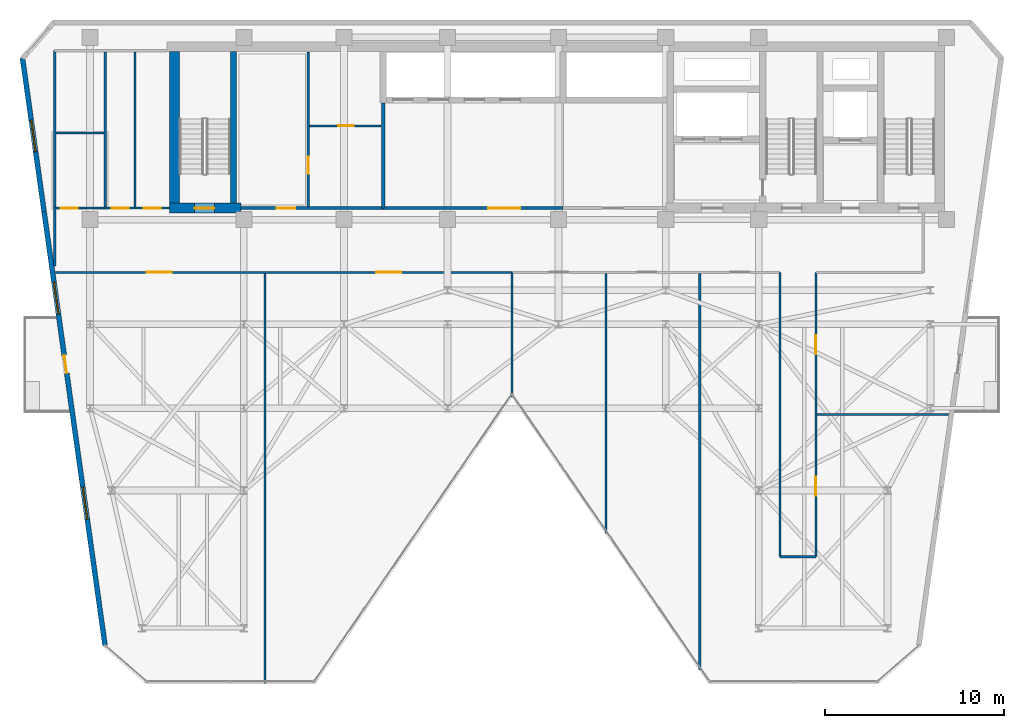
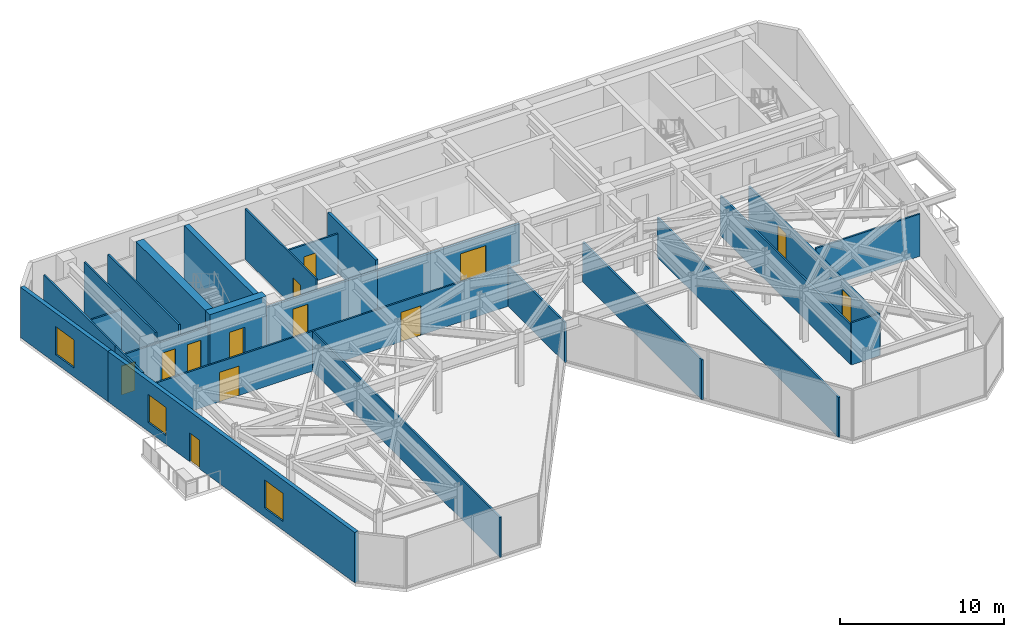
# One storey, part 16 of 21: 25 walls, 13 doors, 3 windows, 16 openings.
"""IFC4 building model written with IfcOpenShell, lengths in metres."""

import ifcopenshell
import ifcopenshell.guid

model = None  # the IFC model being written
_history = None  # IfcOwnerHistory: only IFC2X3 demands one
_inside = {}  # id of a spatial element -> (the spatial element, [elements in it])
_under = {}  # id of a project, library or spatial element -> (it, [spatial elements below it])
_declared = {}  # id of a project -> (the project, [libraries it declares])
_typed = {}  # id of a type object -> (the type object, [elements of that type])
_made_of = {}  # id of a material, layer set ... -> (it, [elements and type objects made of it])


def new_model(schema):
    """Start an empty IFC model of exactly this schema.

    Asked for "IFC4X3", IfcOpenShell would pick the latest addendum, in which some entities
    have other attributes; the version numbers below select the first issue.
    IFC2X3 requires an IfcOwnerHistory on every rooted entity: one is made here for all.
    """
    global model, _history
    if schema == "IFC4X3":
        model = ifcopenshell.file(schema_version=(4, 3, 0, 0))
    else:
        model = ifcopenshell.file(schema=schema)
    _inside.clear()
    _under.clear()
    _declared.clear()
    _typed.clear()
    _made_of.clear()
    _history = None
    if model.schema == "IFC2X3":
        org = make("IfcOrganization", Name="unknown")
        user = make(
            "IfcPersonAndOrganization",
            ThePerson=make("IfcPerson", FamilyName="unknown"),
            TheOrganization=org,
        )
        app = make(
            "IfcApplication",
            ApplicationDeveloper=org,
            Version="unknown",
            ApplicationFullName="unknown",
            ApplicationIdentifier="unknown",
        )
        _history = make(
            "IfcOwnerHistory",
            OwningUser=user,
            OwningApplication=app,
            ChangeAction="ADDED",
            CreationDate=0,
        )
    return model


def make(cls, **values):
    """One entity of the class cls with the attributes given. An attribute that is None is left unset."""
    return model.create_entity(
        cls, **{name: value for name, value in values.items() if value is not None}
    )


def rooted(cls, **values):
    """An entity with a GlobalId (a new one), such as an element, a storey or a relation."""
    return make(cls, GlobalId=ifcopenshell.guid.new(), OwnerHistory=_history, **values)


def si_unit(unit_type, name, prefix=None):
    """IfcSIUnit, for example si_unit("LENGTHUNIT", "METRE", prefix="MILLI")."""
    return make("IfcSIUnit", UnitType=unit_type, Prefix=prefix, Name=name)


def assignment(units):
    """IfcUnitAssignment: the units of a project."""
    return None if units is None else make("IfcUnitAssignment", Units=units)


def point(xyz):
    """IfcCartesianPoint."""
    return None if xyz is None else make("IfcCartesianPoint", Coordinates=xyz)


def direction(xyz):
    """IfcDirection."""
    return None if xyz is None else make("IfcDirection", DirectionRatios=xyz)


def frame(location, z_axis=None, x_axis=None):
    """IfcAxis2Placement3D, a coordinate frame: its origin and axes. An axis left out is left unset."""
    return make(
        "IfcAxis2Placement3D",
        Location=point(location),
        Axis=direction(z_axis),
        RefDirection=direction(x_axis),
    )


def frame_2d(location, x_axis=None):
    """IfcAxis2Placement2D, a coordinate frame in the plane: its origin and x axis."""
    return make(
        "IfcAxis2Placement2D", Location=point(location), RefDirection=direction(x_axis)
    )


def origin():
    """The frame at (0, 0, 0) with its axes left unset."""
    return frame((0.0, 0.0, 0.0))


def place(relative_to, where):
    """IfcLocalPlacement: puts the frame where relative to a parent placement (None: the world)."""
    return make(
        "IfcLocalPlacement", PlacementRelTo=relative_to, RelativePlacement=where
    )


def context(
    kind, dimensions, precision=None, world=None, true_north=None, identifier=None
):
    """IfcGeometricRepresentationContext, for example the 3D "Model" context."""
    return make(
        "IfcGeometricRepresentationContext",
        ContextIdentifier=identifier,
        ContextType=kind,
        CoordinateSpaceDimension=dimensions,
        Precision=precision,
        WorldCoordinateSystem=world,
        TrueNorth=true_north,
    )


def subcontext(parent, identifier, kind, view, scale=None):
    """IfcGeometricRepresentationSubContext, for example "Body" below "Model"."""
    return make(
        "IfcGeometricRepresentationSubContext",
        ContextIdentifier=identifier,
        ContextType=kind,
        ParentContext=parent,
        TargetScale=scale,
        TargetView=view,
    )


def project(units=None, contexts=None):
    """IfcProject with its units and contexts."""
    return rooted(
        "IfcProject",
        Name="project",
        RepresentationContexts=contexts,
        UnitsInContext=assignment(units),
    )


def spatial(cls, under=None, at=None, **own):
    """A site, building, storey or space (cls), placed at a placement, below another one or the project."""
    s = rooted(cls, ObjectPlacement=at, **own)
    if under is not None:
        _under.setdefault(under.id(), (under, []))[1].append(s)
    return s


def profile(cls, at=None, kind="AREA", **sizes):
    """A parametric profile (cls). Its sizes go by their IFC names, for example OverallWidth=200.0."""
    return make(cls, ProfileType=kind, Position=at, **sizes)


def rectangle(**sizes):
    """IfcRectangleProfileDef."""
    return profile("IfcRectangleProfileDef", **sizes)


def extrude(swept, where, along, depth):
    """IfcExtrudedAreaSolid: the profile swept, set in the frame where, extruded along a direction by depth."""
    return make(
        "IfcExtrudedAreaSolid",
        SweptArea=swept,
        Position=where,
        ExtrudedDirection=direction(along),
        Depth=depth,
    )


def shape(context_of_items, identifier, shape_type, items):
    """IfcShapeRepresentation: the items that make up one representation, for example the "Body"."""
    return make(
        "IfcShapeRepresentation",
        ContextOfItems=context_of_items,
        RepresentationIdentifier=identifier,
        RepresentationType=shape_type,
        Items=items,
    )


def material(Name=None, Category=None):
    """IfcMaterial."""
    return make("IfcMaterial", Name=Name, Category=Category)


def layer(
    of_material, thickness, ventilated=None, Name=None, Category=None, Priority=None
):
    """IfcMaterialLayer: one layer of a wall or slab, of a material (None: an air gap)."""
    return make(
        "IfcMaterialLayer",
        Material=of_material,
        LayerThickness=thickness,
        IsVentilated=ventilated,
        Name=Name,
        Category=Category,
        Priority=Priority,
    )


def layer_set(layers, Name=None):
    """IfcMaterialLayerSet."""
    return make("IfcMaterialLayerSet", MaterialLayers=layers, LayerSetName=Name)


def made_of(thing, what):
    """Note that an element or type object is made of a material, layer set ...; save() writes the relation."""
    if what is not None:
        _made_of.setdefault(what.id(), (what, []))[1].append(thing)
    return thing


def type_object(cls, material=None, **own):
    """A type object (cls), such as IfcWallType, which elements share."""
    return made_of(rooted(cls, **own), material)


def element(
    cls,
    number,
    at=None,
    inside=None,
    cuts=None,
    type_object=None,
    material=None,
    context=None,
    identifier="Body",
    shape_type=None,
    held_by="IfcProductDefinitionShape",
    body=None,
    shapes=None,
    **own,
):
    """One element of the class cls, such as IfcWall. Its Tag is "e" and its number.

    at: its placement. inside: the storey or other place that contains it. cuts: it is an
    opening in that element (IfcRelVoidsElement). A single representation is given by context,
    identifier, shape_type and body (its items); several are given by shapes. held_by: the class
    of the entity that holds the representations. save() writes the other relations.
    """
    e = rooted(cls, Tag="e%d" % number, ObjectPlacement=at, **own)
    if body is not None:
        shapes = [shape(context, identifier, shape_type, body)]
    if shapes is not None:
        e.Representation = make(held_by, Representations=shapes)
    if inside is not None:
        _inside.setdefault(inside.id(), (inside, []))[1].append(e)
    if cuts is not None:
        rooted(
            "IfcRelVoidsElement", RelatingBuildingElement=cuts, RelatedOpeningElement=e
        )
    if type_object is not None:
        _typed.setdefault(type_object.id(), (type_object, []))[1].append(e)
    return made_of(e, material)


def fill(opening, filler):
    """IfcRelFillsElement: the door or window that sits in an opening."""
    return rooted(
        "IfcRelFillsElement",
        RelatingOpeningElement=opening,
        RelatedBuildingElement=filler,
    )


def aggregate(whole, parts):
    """IfcRelAggregates: a whole, such as a stair, and the parts it consists of."""
    return rooted("IfcRelAggregates", RelatingObject=whole, RelatedObjects=parts)


def save(model, path):
    """Write the relations noted so far, then the file.

    IfcRelAggregates (storeys below a building ...), IfcRelContainedInSpatialStructure (elements
    in a storey), IfcRelDefinesByType, IfcRelAssociatesMaterial and IfcRelDeclares: one each for
    every whole, place, type object, material and project.
    """
    for whole, parts in _under.values():
        aggregate(whole, parts)
    for where, things in _inside.values():
        rooted(
            "IfcRelContainedInSpatialStructure",
            RelatedElements=things,
            RelatingStructure=where,
        )
    for kind, things in _typed.values():
        rooted("IfcRelDefinesByType", RelatedObjects=things, RelatingType=kind)
    for what, things in _made_of.values():
        rooted("IfcRelAssociatesMaterial", RelatedObjects=things, RelatingMaterial=what)
    for by, libraries in _declared.values():
        rooted("IfcRelDeclares", RelatingContext=by, RelatedDefinitions=libraries)
    model.write(path)


model = new_model("IFC4")

# Units and contexts
model_context = context("Model", 3, precision=1e-05, world=origin(), true_north=direction((0.0, 1.0)))
body_context = subcontext(model_context, "Body", "Model", "MODEL_VIEW")
ifc_project = project(units=[si_unit("LENGTHUNIT", "METRE"), si_unit("AREAUNIT", "SQUARE_METRE"), si_unit("VOLUMEUNIT", "CUBIC_METRE"), si_unit("PLANEANGLEUNIT", "RADIAN"), si_unit("MASSUNIT", "GRAM", prefix="KILO")], contexts=[model_context])

# Site, building, storey
site_placement = place(None, origin())
site = spatial("IfcSite", under=ifc_project, at=site_placement, CompositionType="ELEMENT")
building_placement = place(site_placement, origin())
building = spatial("IfcBuilding", under=site, at=building_placement, Name="Kravanh Interchange Tower", CompositionType="ELEMENT")
storey_placement = place(building_placement, frame((0.0, 0.0, 200.5)))
storey = spatial("IfcBuildingStorey", under=building, at=storey_placement, Name="L48", CompositionType="ELEMENT", Elevation=200.5)

# Wall, opening, door
ifc_material_1 = material(Name="Double Acoustic Gypsum Board and Mineral Wool")
ifc_layer_1 = layer(ifc_material_1, 0.1201171875)
ifc_layer_set_1 = layer_set([ifc_layer_1], Name="Acoustic Office Drywall Partition 120mm")
wall_type_1 = type_object("IfcWallType", Name="Acoustic Office Drywall Partition 120mm", PredefinedType="PARTITIONING", material=ifc_layer_set_1)
wall_1_placement = place(storey_placement, frame((30.800048828125, 38.068115234375, 0.0), z_axis=(0.0, 0.0, 1.0), x_axis=(0.0, 1.0, 0.0)))
wall_1 = element("IfcWall", 1, at=wall_1_placement, inside=storey, type_object=wall_type_1, Name="L48 Interior Partition 4", PredefinedType="PARTITIONING", context=body_context, shape_type="SweptSolid", body=[
    extrude(rectangle(XDim=8.673828125, YDim=0.1201171875, at=frame_2d((4.3369140625, 0.0))), origin(), (0.0, 0.0, 1.0), 3.7548828125),
])
opening_1_placement = place(wall_1_placement, frame((1.865234375, 0.0, 0.0)))
opening_1 = element("IfcOpeningElement", 2, at=opening_1_placement, cuts=wall_1, Name="Opening D-95", PredefinedType="OPENING", context=body_context, shape_type="SweptSolid", body=[
    extrude(rectangle(XDim=0.949951171875, YDim=2.14990234375, at=frame_2d((0.47509765625, 1.074951171875))), frame((0.0, 0.070068359375, 0.0), z_axis=(0.0, -1.0, 0.0), x_axis=(1.0, 0.0, 0.0)), (0.0, 0.0, 1.0), 0.14013671875),
])
ifc_material_2 = material(Name="Laminate Solid-Core Timber", Category="wood")
door_type_1 = type_object("IfcDoorType", Name="Accessible Restroom Door 950x2150", OperationType="NOTDEFINED", PredefinedType="DOOR", material=ifc_material_2)
door_1_placement = place(opening_1_placement, origin())
door_1 = element("IfcDoor", 3, at=door_1_placement, inside=storey, type_object=door_type_1, Name="L48 Copy Hub Inner Door", OperationType="SINGLE_SWING_RIGHT", OverallHeight=2.14990234375, OverallWidth=0.949951171875, PredefinedType="DOOR", context=body_context, shape_type="SweptSolid", body=[
    extrude(rectangle(XDim=0.949951171875, YDim=2.14990234375, at=frame_2d((0.47509765625, 1.074951171875))), frame((0.0, 0.02490234375, 0.0), z_axis=(0.0, -1.0, 0.0), x_axis=(1.0, 0.0, 0.0)), (0.0, 0.0, 1.0), 0.050048828125),
])
fill(opening_1, door_1)

wall_2_placement = place(storey_placement, frame((30.867919921875, 42.60009765625, 0.0), z_axis=(0.0, 0.0, 1.0), x_axis=(1.0, 0.0, 0.0)))
wall_2 = element("IfcWall", 4, at=wall_2_placement, inside=storey, type_object=wall_type_1, Name="L48 Interior Partition 5", PredefinedType="PARTITIONING", context=body_context, shape_type="SweptSolid", body=[
    extrude(rectangle(XDim=4.01416015625, YDim=0.1201171875, at=frame_2d((2.007080078125, 0.0))), origin(), (0.0, 0.0, 1.0), 2.98193359375),
])
opening_2_placement = place(wall_2_placement, frame((1.622314453125, 0.0, 0.0)))
opening_2 = element("IfcOpeningElement", 5, at=opening_2_placement, cuts=wall_2, Name="Opening D-85", PredefinedType="OPENING", context=body_context, shape_type="SweptSolid", body=[
    extrude(rectangle(XDim=0.85009765625, YDim=2.10009765625, at=frame_2d((0.425048828125, 1.050048828125))), frame((0.0, 0.070068359375, 0.0), z_axis=(0.0, -1.0, 0.0), x_axis=(1.0, 0.0, 0.0)), (0.0, 0.0, 1.0), 0.14013671875),
])
ifc_material_3 = material(Name="Engineered Teak Veneer Timber", Category="wood")
door_type_2 = type_object("IfcDoorType", Name="En-Suite Timber Door 850x2100", OperationType="NOTDEFINED", PredefinedType="DOOR", material=ifc_material_3)
door_2_placement = place(opening_2_placement, origin())
door_2 = element("IfcDoor", 6, at=door_2_placement, inside=storey, type_object=door_type_2, Name="L48 Records Store Inner Door", OperationType="SINGLE_SWING_LEFT", OverallHeight=2.10009765625, OverallWidth=0.85009765625, PredefinedType="DOOR", context=body_context, shape_type="SweptSolid", body=[
    extrude(rectangle(XDim=0.85009765625, YDim=2.10009765625, at=frame_2d((0.425048828125, 1.050048828125))), frame((0.0, 0.02490234375, 0.0), z_axis=(0.0, -1.0, 0.0), x_axis=(1.0, 0.0, 0.0)), (0.0, 0.0, 1.0), 0.050048828125),
])
fill(opening_2, door_2)

# Wall, openings, doors
wall_3_placement = place(storey_placement, frame((16.6201171875, 38.0, 0.0), z_axis=(0.0, 0.0, 1.0), x_axis=(1.0, 0.0, 0.0)))
wall_3 = element("IfcWall", 7, at=wall_3_placement, inside=storey, type_object=wall_type_1, Name="L48 Restroom Corridor Wall 7", PredefinedType="PARTITIONING", context=body_context, shape_type="SweptSolid", body=[
    extrude(rectangle(XDim=6.429931640625, YDim=0.1201171875, at=frame_2d((3.21484375, 0.0))), origin(), (0.0, 0.0, 1.0), 2.98193359375),
])
opening_3_placement = place(wall_3_placement, frame((0.348876953125, 0.0, 0.0)))
opening_3 = element("IfcOpeningElement", 8, at=opening_3_placement, cuts=wall_3, Name="Opening D-95", PredefinedType="OPENING", context=body_context, shape_type="SweptSolid", body=[
    extrude(rectangle(XDim=0.949951171875, YDim=2.14990234375, at=frame_2d((0.47509765625, 1.074951171875))), frame((0.0, 0.070068359375, 0.0), z_axis=(0.0, -1.0, 0.0), x_axis=(1.0, 0.0, 0.0)), (0.0, 0.0, 1.0), 0.14013671875),
])
opening_4_placement = place(wall_3_placement, frame((3.18505859375, 0.0, 0.0)))
opening_4 = element("IfcOpeningElement", 9, at=opening_4_placement, cuts=wall_3, Name="Opening D-95", PredefinedType="OPENING", context=body_context, shape_type="SweptSolid", body=[
    extrude(rectangle(XDim=0.949951171875, YDim=2.14990234375, at=frame_2d((0.47509765625, 1.074951171875))), frame((0.0, 0.070068359375, 0.0), z_axis=(0.0, -1.0, 0.0), x_axis=(1.0, 0.0, 0.0)), (0.0, 0.0, 1.0), 0.14013671875),
])
opening_5_placement = place(wall_3_placement, frame((4.97509765625, 0.0, 0.0)))
opening_5 = element("IfcOpeningElement", 10, at=opening_5_placement, cuts=wall_3, Name="Opening D-95", PredefinedType="OPENING", context=body_context, shape_type="SweptSolid", body=[
    extrude(rectangle(XDim=0.949951171875, YDim=2.14990234375, at=frame_2d((0.47509765625, 1.074951171875))), frame((0.0, 0.070068359375, 0.0), z_axis=(0.0, -1.0, 0.0), x_axis=(1.0, 0.0, 0.0)), (0.0, 0.0, 1.0), 0.14013671875),
])
door_3_placement = place(opening_3_placement, origin())
door_3 = element("IfcDoor", 11, at=door_3_placement, inside=storey, type_object=door_type_1, Name="L48 Accessible WC Door", OperationType="SINGLE_SWING_RIGHT", OverallHeight=2.14990234375, OverallWidth=0.949951171875, PredefinedType="DOOR", context=body_context, shape_type="SweptSolid", body=[
    extrude(rectangle(XDim=0.949951171875, YDim=2.14990234375, at=frame_2d((0.47509765625, 1.074951171875))), frame((0.0, 0.02490234375, 0.0), z_axis=(0.0, -1.0, 0.0), x_axis=(1.0, 0.0, 0.0)), (0.0, 0.0, 1.0), 0.050048828125),
])
fill(opening_3, door_3)
door_4_placement = place(opening_4_placement, origin())
door_4 = element("IfcDoor", 12, at=door_4_placement, inside=storey, type_object=door_type_1, Name="L48 Female WC Door", OperationType="SINGLE_SWING_LEFT", OverallHeight=2.14990234375, OverallWidth=0.949951171875, PredefinedType="DOOR", context=body_context, shape_type="SweptSolid", body=[
    extrude(rectangle(XDim=0.949951171875, YDim=2.14990234375, at=frame_2d((0.47509765625, 1.074951171875))), frame((0.0, 0.02490234375, 0.0), z_axis=(0.0, -1.0, 0.0), x_axis=(1.0, 0.0, 0.0)), (0.0, 0.0, 1.0), 0.050048828125),
])
fill(opening_4, door_4)
door_5_placement = place(opening_5_placement, origin())
door_5 = element("IfcDoor", 13, at=door_5_placement, inside=storey, type_object=door_type_1, Name="L48 Male WC Door", OperationType="SINGLE_SWING_RIGHT", OverallHeight=2.14990234375, OverallWidth=0.949951171875, PredefinedType="DOOR", context=body_context, shape_type="SweptSolid", body=[
    extrude(rectangle(XDim=0.949951171875, YDim=2.14990234375, at=frame_2d((0.47509765625, 1.074951171875))), frame((0.0, 0.02490234375, 0.0), z_axis=(0.0, -1.0, 0.0), x_axis=(1.0, 0.0, 0.0)), (0.0, 0.0, 1.0), 0.050048828125),
])
fill(opening_5, door_5)

# Walls
wall_4_placement = place(storey_placement, frame((16.6201171875, 38.0, 0.0), z_axis=(0.0, 0.0, 1.0), x_axis=(0.0, 1.0, 0.0)))
element("IfcWall", 14, at=wall_4_placement, inside=storey, type_object=wall_type_1, Name="L48 Restroom West Enclosure 8", PredefinedType="PARTITIONING", context=body_context, shape_type="SweptSolid", body=[
    extrude(rectangle(XDim=8.800048828125, YDim=0.1201171875, at=frame_2d((4.39990234375, 0.0))), origin(), (0.0, 0.0, 1.0), 3.7548828125),
])
for number, where, z_axis, x_axis, name in (
    (15, (19.449951171875, 38.068115234375, 0.0), (0.0, 0.0, 1.0), (0.0, 1.0, 0.0), "L48 Interior Partition 10"),
    (16, (21.110107421875, 38.068115234375, 0.0), (0.0, 0.0, 1.0), (0.0, 1.0, 0.0), "L48 Interior Partition 11"),
):
    element("IfcWall", number, at=place(storey_placement, frame(where, z_axis=z_axis, x_axis=x_axis)), inside=storey, type_object=wall_type_1, Name=name, PredefinedType="PARTITIONING", context=body_context, shape_type="SweptSolid", body=[
        extrude(rectangle(XDim=8.663818359375, YDim=0.1201171875, at=frame_2d((4.33203125, 0.0))), origin(), (0.0, 0.0, 1.0), 3.7548828125),
    ])
wall_5_placement = place(storey_placement, frame((16.68798828125, 42.199951171875, 0.0), z_axis=(0.0, 0.0, 1.0), x_axis=(1.0, 0.0, 0.0)))
element("IfcWall", 17, at=wall_5_placement, inside=storey, type_object=wall_type_1, Name="L48 Interior Partition 12", PredefinedType="PARTITIONING", context=body_context, shape_type="SweptSolid", body=[
    extrude(rectangle(XDim=2.694091796875, YDim=0.1201171875, at=frame_2d((1.34716796875, 0.0))), origin(), (0.0, 0.0, 1.0), 2.98193359375),
])

# Wall, openings, doors
wall_6_placement = place(storey_placement, frame((16.66943359375, 34.39990234375, 0.0), z_axis=(0.0, 0.0, 1.0), x_axis=(1.0, 0.0, 0.0)))
wall_6 = element("IfcWall", 18, at=wall_6_placement, inside=storey, type_object=wall_type_1, Name="L48 Interior Partition 13", PredefinedType="PARTITIONING", context=body_context, shape_type="SweptSolid", body=[
    extrude(rectangle(XDim=25.530517578125, YDim=0.1201171875, at=frame_2d((12.76513671875, 0.0))), origin(), (0.0, 0.0, 1.0), 2.98193359375),
])
opening_6_placement = place(wall_6_placement, frame((5.095458984375, 0.0, 0.0)))
opening_6 = element("IfcOpeningElement", 19, at=opening_6_placement, cuts=wall_6, Name="Opening DBL-140", PredefinedType="OPENING", context=body_context, shape_type="SweptSolid", body=[
    extrude(rectangle(XDim=1.39990234375, YDim=2.199951171875, at=frame_2d((0.699951171875, 1.10009765625))), frame((0.0, 0.070068359375, 0.0), z_axis=(0.0, -1.0, 0.0), x_axis=(1.0, 0.0, 0.0)), (0.0, 0.0, 1.0), 0.14013671875),
])
opening_7_placement = place(wall_6_placement, frame((17.925537109375, 0.0, 0.0)))
opening_7 = element("IfcOpeningElement", 20, at=opening_7_placement, cuts=wall_6, Name="Opening DBL-140", PredefinedType="OPENING", context=body_context, shape_type="SweptSolid", body=[
    extrude(rectangle(XDim=1.39990234375, YDim=2.199951171875, at=frame_2d((0.699951171875, 1.10009765625))), frame((0.0, 0.070068359375, 0.0), z_axis=(0.0, -1.0, 0.0), x_axis=(1.0, 0.0, 0.0)), (0.0, 0.0, 1.0), 0.14013671875),
])
ifc_material_4 = material(Name="Acoustic Bronze-Framed Glass", Category="glass")
door_type_3 = type_object("IfcDoorType", Name="Hospitality Lounge Double Door 1400x2200", OperationType="DOUBLE_DOOR_SINGLE_SWING", PredefinedType="DOOR", material=ifc_material_4)
door_6_placement = place(opening_6_placement, origin())
door_6 = element("IfcDoor", 21, at=door_6_placement, inside=storey, type_object=door_type_3, Name="L48 West Research Study 12A Door", OperationType="DOUBLE_DOOR_SINGLE_SWING", OverallHeight=2.199951171875, OverallWidth=1.39990234375, PredefinedType="DOOR", context=body_context, shape_type="SweptSolid", body=[
    extrude(rectangle(XDim=1.39990234375, YDim=2.199951171875, at=frame_2d((0.699951171875, 1.10009765625))), frame((0.0, 0.02490234375, 0.0), z_axis=(0.0, -1.0, 0.0), x_axis=(1.0, 0.0, 0.0)), (0.0, 0.0, 1.0), 0.050048828125),
])
fill(opening_6, door_6)
door_7_placement = place(opening_7_placement, origin())
door_7 = element("IfcDoor", 22, at=door_7_placement, inside=storey, type_object=door_type_3, Name="L48 West Library Study 12B Door", OperationType="DOUBLE_DOOR_SINGLE_SWING", OverallHeight=2.199951171875, OverallWidth=1.39990234375, PredefinedType="DOOR", context=body_context, shape_type="SweptSolid", body=[
    extrude(rectangle(XDim=1.39990234375, YDim=2.199951171875, at=frame_2d((0.699951171875, 1.10009765625))), frame((0.0, 0.02490234375, 0.0), z_axis=(0.0, -1.0, 0.0), x_axis=(1.0, 0.0, 0.0)), (0.0, 0.0, 1.0), 0.050048828125),
])
fill(opening_7, door_7)

# Walls
wall_7_placement = place(storey_placement, frame((16.6201171875, 34.751953125, 0.0), z_axis=(0.0, 0.0, 1.0), x_axis=(0.0, 1.0, 0.0)))
element("IfcWall", 23, at=wall_7_placement, inside=storey, type_object=wall_type_1, Name="L48 Interior Partition 16", PredefinedType="PARTITIONING", context=body_context, shape_type="SweptSolid", body=[
    extrude(rectangle(XDim=3.298095703125, YDim=0.1201171875, at=frame_2d((1.64892578125, 0.0))), origin(), (0.0, 0.0, 1.0), 3.7548828125),
])
wall_8_placement = place(storey_placement, frame((57.199951171875, 18.5, 0.0), z_axis=(0.0, 0.0, 1.0), x_axis=(0.0, 1.0, 0.0)))
element("IfcWall", 24, at=wall_8_placement, inside=storey, type_object=wall_type_1, Name="L48 Interior Partition 18", PredefinedType="PARTITIONING", context=body_context, shape_type="SweptSolid", body=[
    extrude(rectangle(XDim=15.89990234375, YDim=0.1201171875, at=frame_2d((7.949951171875, 0.0))), origin(), (0.0, 0.0, 1.0), 2.98193359375),
])

# Wall, openings, doors
wall_9_placement = place(storey_placement, frame((59.199951171875, 18.5, 0.0), z_axis=(0.0, 0.0, 1.0), x_axis=(0.0, 1.0, 0.0)))
wall_9 = element("IfcWall", 25, at=wall_9_placement, inside=storey, type_object=wall_type_1, Name="L48 Interior Partition 19", PredefinedType="PARTITIONING", context=body_context, shape_type="SweptSolid", body=[
    extrude(rectangle(XDim=15.89990234375, YDim=0.1201171875, at=frame_2d((7.949951171875, 0.0))), origin(), (0.0, 0.0, 1.0), 2.98193359375),
])
opening_8_placement = place(wall_9_placement, frame((3.40966796875, 0.0, 0.0)))
opening_8 = element("IfcOpeningElement", 26, at=opening_8_placement, cuts=wall_9, Name="Opening D-105", PredefinedType="OPENING", context=body_context, shape_type="SweptSolid", body=[
    extrude(rectangle(XDim=1.050048828125, YDim=2.199951171875, at=frame_2d((0.52490234375, 1.10009765625))), frame((0.0, 0.070068359375, 0.0), z_axis=(0.0, -1.0, 0.0), x_axis=(1.0, 0.0, 0.0)), (0.0, 0.0, 1.0), 0.14013671875),
])
opening_9_placement = place(wall_9_placement, frame((11.3349609375, 0.0, 0.0)))
opening_9 = element("IfcOpeningElement", 27, at=opening_9_placement, cuts=wall_9, Name="Opening D-105", PredefinedType="OPENING", context=body_context, shape_type="SweptSolid", body=[
    extrude(rectangle(XDim=1.050048828125, YDim=2.199951171875, at=frame_2d((0.52490234375, 1.10009765625))), frame((0.0, 0.070068359375, 0.0), z_axis=(0.0, -1.0, 0.0), x_axis=(1.0, 0.0, 0.0)), (0.0, 0.0, 1.0), 0.14013671875),
])
ifc_material_5 = material(Name="Acoustic Glazed Oak and Aluminium", Category="aluminium")
door_type_4 = type_object("IfcDoorType", Name="Office Workplace Door 1050x2200", OperationType="NOTDEFINED", PredefinedType="DOOR", material=ifc_material_5)
door_8_placement = place(opening_8_placement, origin())
door_8 = element("IfcDoor", 28, at=door_8_placement, inside=storey, type_object=door_type_4, Name="L48 SE Balcony Lounge 12F Door", OperationType="SINGLE_SWING_LEFT", OverallHeight=2.199951171875, OverallWidth=1.050048828125, PredefinedType="DOOR", context=body_context, shape_type="SweptSolid", body=[
    extrude(rectangle(XDim=1.050048828125, YDim=2.199951171875, at=frame_2d((0.52490234375, 1.10009765625))), frame((0.0, 0.02490234375, 0.0), z_axis=(0.0, -1.0, 0.0), x_axis=(1.0, 0.0, 0.0)), (0.0, 0.0, 1.0), 0.050048828125),
])
fill(opening_8, door_8)
door_9_placement = place(opening_9_placement, origin())
door_9 = element("IfcDoor", 29, at=door_9_placement, inside=storey, type_object=door_type_4, Name="L48 East Tea Kitchenette Door", OperationType="SINGLE_SWING_RIGHT", OverallHeight=2.199951171875, OverallWidth=1.050048828125, PredefinedType="DOOR", context=body_context, shape_type="SweptSolid", body=[
    extrude(rectangle(XDim=1.050048828125, YDim=2.199951171875, at=frame_2d((0.52490234375, 1.10009765625))), frame((0.0, 0.02490234375, 0.0), z_axis=(0.0, -1.0, 0.0), x_axis=(1.0, 0.0, 0.0)), (0.0, 0.0, 1.0), 0.050048828125),
])
fill(opening_9, door_9)

# Walls
wall_10_placement = place(storey_placement, frame((57.199951171875, 18.5, 0.0), z_axis=(0.0, 0.0, 1.0), x_axis=(1.0, 0.0, 0.0)))
element("IfcWall", 30, at=wall_10_placement, inside=storey, type_object=wall_type_1, Name="L48 Interior Partition 20", PredefinedType="PARTITIONING", context=body_context, shape_type="SweptSolid", body=[
    extrude(rectangle(XDim=2.0, YDim=0.1201171875, at=frame_2d((1.0, 0.0))), origin(), (0.0, 0.0, 1.0), 3.14697265625),
])
wall_11_placement = place(storey_placement, frame((59.26806640625, 26.449951171875, 0.0), z_axis=(0.0, 0.0, 1.0), x_axis=(1.0, 0.0, 0.0)))
element("IfcWall", 31, at=wall_11_placement, inside=storey, type_object=wall_type_1, Name="L48 Interior Partition 21", PredefinedType="PARTITIONING", context=body_context, shape_type="SweptSolid", body=[
    extrude(rectangle(XDim=7.34521484375, YDim=0.1201171875, at=frame_2d((3.672607421875, 0.0))), origin(), (0.0, 0.0, 1.0), 3.14697265625),
])
wall_12_placement = place(storey_placement, frame((42.199951171875, 27.426513671875, 0.0), z_axis=(0.0, 0.0, 1.0), x_axis=(0.0, 1.0, 0.0)))
element("IfcWall", 32, at=wall_12_placement, inside=storey, type_object=wall_type_1, Name="L48 Interior Partition 22", PredefinedType="PARTITIONING", context=body_context, shape_type="SweptSolid", body=[
    extrude(rectangle(XDim=6.973388671875, YDim=0.1201171875, at=frame_2d((3.48681640625, 0.0))), origin(), (0.0, 0.0, 1.0), 2.98193359375),
])
wall_13_placement = place(storey_placement, frame((28.389892578125, 11.4150390625, 0.0), z_axis=(0.0, 0.0, 1.0), x_axis=(0.0, 1.0, 0.0)))
element("IfcWall", 33, at=wall_13_placement, inside=storey, type_object=wall_type_1, Name="L48 Interior Partition 23", PredefinedType="PARTITIONING", context=body_context, shape_type="SweptSolid", body=[
    extrude(rectangle(XDim=22.9169921875, YDim=0.1201171875, at=frame_2d((11.45849609375, 0.0))), origin(), (0.0, 0.0, 1.0), 2.98193359375),
])
wall_14_placement = place(storey_placement, frame((47.449951171875, 19.7900390625, 0.0), z_axis=(0.0, 0.0, 1.0), x_axis=(0.0, 1.0, 0.0)))
element("IfcWall", 34, at=wall_14_placement, inside=storey, type_object=wall_type_1, Name="L48 Interior Partition 24", PredefinedType="PARTITIONING", context=body_context, shape_type="SweptSolid", body=[
    extrude(rectangle(XDim=14.5419921875, YDim=0.1201171875, at=frame_2d((7.27099609375, 0.0))), origin(), (0.0, 0.0, 1.0), 2.98193359375),
])
wall_15_placement = place(storey_placement, frame((52.699951171875, 12.15380859375, 0.0), z_axis=(0.0, 0.0, 1.0), x_axis=(0.0, 1.0, 0.0)))
element("IfcWall", 35, at=wall_15_placement, inside=storey, type_object=wall_type_1, Name="L48 Interior Partition 25", PredefinedType="PARTITIONING", context=body_context, shape_type="SweptSolid", body=[
    extrude(rectangle(XDim=22.17822265625, YDim=0.1201171875, at=frame_2d((11.089111328125, 0.0))), origin(), (0.0, 0.0, 1.0), 2.98193359375),
])
ifc_material_6 = material(Name="Concrete C60/75", Category="concrete")
ifc_layer_2 = layer(ifc_material_6, 0.35009765625)
ifc_layer_set_2 = layer_set([ifc_layer_2], Name="Core Shear Wall Concrete C60/75 350mm")
wall_type_2 = type_object("IfcWallType", Name="Core Shear Wall Concrete C60/75 350mm", PredefinedType="SHEAR", material=ifc_layer_set_2)
wall_16_placement = place(storey_placement, frame((26.625, 38.27490234375, 0.0), z_axis=(0.0, 0.0, 1.0), x_axis=(0.0, 1.0, 0.0)))
element("IfcWall", 36, at=wall_16_placement, inside=storey, type_object=wall_type_2, Name="L48 Stair ST3 East Shear Wall", PredefinedType="SHEAR", context=body_context, shape_type="SweptSolid", body=[
    extrude(rectangle(XDim=8.47509765625, YDim=0.35009765625, at=frame_2d((4.237548828125, 0.0))), origin(), (0.0, 0.0, 1.0), 4.0),
])

# Wall, opening, door
ifc_material_7 = material(Name="Concrete C70/85", Category="concrete")
ifc_layer_3 = layer(ifc_material_7, 0.550048828125)
ifc_layer_set_3 = layer_set([ifc_layer_3], Name="Core Shear Wall Concrete C70/85 550mm")
wall_type_3 = type_object("IfcWallType", Name="Core Shear Wall Concrete C70/85 550mm", PredefinedType="SHEAR", material=ifc_layer_set_3)
wall_17_placement = place(storey_placement, frame((23.050048828125, 38.0, 0.0), z_axis=(0.0, 0.0, 1.0), x_axis=(1.0, 0.0, 0.0)))
wall_17 = element("IfcWall", 37, at=wall_17_placement, inside=storey, type_object=wall_type_3, Name="L48 Stair ST3 South Shear Wall", PredefinedType="SHEAR", context=body_context, shape_type="SweptSolid", body=[
    extrude(rectangle(XDim=4.0, YDim=0.550048828125, at=frame_2d((2.0, 0.0))), origin(), (0.0, 0.0, 1.0), 4.0),
])
opening_10_placement = place(wall_17_placement, frame((1.39990234375, 0.0, 0.0)))
opening_10 = element("IfcOpeningElement", 38, at=opening_10_placement, cuts=wall_17, Name="Opening D-STAIR-110", PredefinedType="OPENING", context=body_context, shape_type="SweptSolid", body=[
    extrude(rectangle(XDim=1.10009765625, YDim=2.199951171875, at=frame_2d((0.550048828125, 1.10009765625))), frame((0.0, 0.28515625, 0.0), z_axis=(0.0, -1.0, 0.0), x_axis=(1.0, 0.0, 0.0)), (0.0, 0.0, 1.0), 0.570068359375),
])
ifc_material_8 = material(Name="Structural Steel S355", Category="steel")
door_type_5 = type_object("IfcDoorType", Name="Fire-Rated Exit Stair Door 1100x2200", OperationType="NOTDEFINED", PredefinedType="DOOR", material=ifc_material_8)
door_10_placement = place(opening_10_placement, origin())
door_10 = element("IfcDoor", 39, at=door_10_placement, inside=storey, type_object=door_type_5, Name="L48 Exit Stair ST3 Door", OperationType="SINGLE_SWING_RIGHT", OverallHeight=2.199951171875, OverallWidth=1.10009765625, PredefinedType="DOOR", context=body_context, shape_type="SweptSolid", body=[
    extrude(rectangle(XDim=1.10009765625, YDim=2.199951171875, at=frame_2d((0.550048828125, 1.10009765625))), frame((0.0, 0.02490234375, 0.0), z_axis=(0.0, -1.0, 0.0), x_axis=(1.0, 0.0, 0.0)), (0.0, 0.0, 1.0), 0.050048828125),
])
fill(opening_10, door_10)

# Wall
wall_18_placement = place(storey_placement, frame((23.324951171875, 38.27490234375, 0.0), z_axis=(0.0, 0.0, 1.0), x_axis=(0.0, 1.0, 0.0)))
element("IfcWall", 40, at=wall_18_placement, inside=storey, type_object=wall_type_3, Name="L48 Stair ST3 West Shear Wall", PredefinedType="SHEAR", context=body_context, shape_type="SweptSolid", body=[
    extrude(rectangle(XDim=8.47509765625, YDim=0.550048828125, at=frame_2d((4.237548828125, 0.0))), origin(), (0.0, 0.0, 1.0), 4.0),
])

# Wall, openings, door, windows
ifc_material_9 = material(Name="Insulated Precast Concrete C40/50 with Bronze Cladding", Category="concrete")
ifc_layer_4 = layer(ifc_material_9, 0.280029296875)
ifc_layer_set_4 = layer_set([ifc_layer_4], Name="Exterior Insulated Concrete C40/50 Bronze Spandrel Wall 280mm")
wall_type_4 = type_object("IfcWallType", Name="Exterior Insulated Concrete C40/50 Bronze Spandrel Wall 280mm", PredefinedType="STANDARD", material=ifc_layer_set_4)
wall_19_placement = place(storey_placement, frame((19.434326171875, 13.540771484375, 0.0), z_axis=(0.0, 0.0, 1.0), x_axis=(-0.139173290738, 0.99026804207, 0.0)))
wall_19 = element("IfcWall", 41, at=wall_19_placement, inside=storey, type_object=wall_type_4, Name="L48 Exterior Wall 1", PredefinedType="STANDARD", context=body_context, shape_type="SweptSolid", body=[
    extrude(rectangle(XDim=24.497802734375, YDim=0.280029296875, at=frame_2d((12.2490234375, 0.0))), origin(), (0.0, 0.0, 1.0), 3.7548828125),
])
opening_11_placement = place(wall_19_placement, frame((15.380615234375, 0.0, 0.0)))
opening_11 = element("IfcOpeningElement", 42, at=opening_11_placement, cuts=wall_19, Name="Opening ED-BAL100", PredefinedType="OPENING", context=body_context, shape_type="SweptSolid", body=[
    extrude(rectangle(XDim=1.0, YDim=2.14990234375, at=frame_2d((0.5, 1.074951171875))), frame((0.0, 0.14990234375, 0.0), z_axis=(0.0, -1.0, 0.0), x_axis=(1.0, 0.0, 0.0)), (0.0, 0.0, 1.0), 0.300048828125),
])
opening_12_placement = place(wall_19_placement, frame((7.12646484375, 0.0, 0.64990234375)))
opening_12 = element("IfcOpeningElement", 43, at=opening_12_placement, cuts=wall_19, Name="Opening WN-180X210", PredefinedType="OPENING", context=body_context, shape_type="SweptSolid", body=[
    extrude(rectangle(XDim=1.800048828125, YDim=2.10009765625, at=frame_2d((0.89990234375, 1.050048828125))), frame((0.0, 0.14990234375, 0.0), z_axis=(0.0, -1.0, 0.0), x_axis=(1.0, 0.0, 0.0)), (0.0, 0.0, 1.0), 0.300048828125),
])
opening_13_placement = place(wall_19_placement, frame((18.7080078125, 0.0, 0.64990234375)))
opening_13 = element("IfcOpeningElement", 44, at=opening_13_placement, cuts=wall_19, Name="Opening WN-180X210", PredefinedType="OPENING", context=body_context, shape_type="SweptSolid", body=[
    extrude(rectangle(XDim=1.800048828125, YDim=2.10009765625, at=frame_2d((0.89990234375, 1.050048828125))), frame((0.0, 0.14990234375, 0.0), z_axis=(0.0, -1.0, 0.0), x_axis=(1.0, 0.0, 0.0)), (0.0, 0.0, 1.0), 0.300048828125),
])
ifc_material_10 = material(Name="Thermally Broken Bronze Aluminium and Laminated Glass", Category="aluminium")
door_type_6 = type_object("IfcDoorType", Name="Balcony Glazed Door 1000x2150", OperationType="NOTDEFINED", PredefinedType="DOOR", material=ifc_material_10)
door_11_placement = place(opening_11_placement, origin())
door_11 = element("IfcDoor", 45, at=door_11_placement, inside=storey, type_object=door_type_6, Name="L48 W Tree Balcony Access Door", OperationType="SINGLE_SWING_RIGHT", OverallHeight=2.14990234375, OverallWidth=1.0, PredefinedType="DOOR", context=body_context, shape_type="SweptSolid", body=[
    extrude(rectangle(XDim=1.0, YDim=2.14990234375, at=frame_2d((0.5, 1.074951171875))), frame((0.0, 0.02490234375, 0.0), z_axis=(0.0, -1.0, 0.0), x_axis=(1.0, 0.0, 0.0)), (0.0, 0.0, 1.0), 0.050048828125),
])
fill(opening_11, door_11)
ifc_material_11 = material(Name="Thermally Broken Bronze Aluminium and Low-E Glass", Category="aluminium")
window_type = type_object("IfcWindowType", Name="Tower Pier Window 1800x2100", PartitioningType="SINGLE_PANEL", PredefinedType="WINDOW", material=ifc_material_11)
window_1_placement = place(opening_12_placement, origin())
window_1 = element("IfcWindow", 46, at=window_1_placement, inside=storey, type_object=window_type, Name="L48 Facade Window 1A", OverallHeight=2.10009765625, OverallWidth=1.800048828125, PartitioningType="SINGLE_PANEL", PredefinedType="WINDOW", context=body_context, shape_type="SweptSolid", body=[
    extrude(rectangle(XDim=1.800048828125, YDim=2.10009765625, at=frame_2d((0.89990234375, 1.050048828125))), frame((0.0, 0.030029296875, 0.0), z_axis=(0.0, -1.0, 0.0), x_axis=(1.0, 0.0, 0.0)), (0.0, 0.0, 1.0), 0.06005859375),
])
fill(opening_12, window_1)
window_2_placement = place(opening_13_placement, origin())
window_2 = element("IfcWindow", 47, at=window_2_placement, inside=storey, type_object=window_type, Name="L48 Facade Window 1B", OverallHeight=2.10009765625, OverallWidth=1.800048828125, PartitioningType="SINGLE_PANEL", PredefinedType="WINDOW", context=body_context, shape_type="SweptSolid", body=[
    extrude(rectangle(XDim=1.800048828125, YDim=2.10009765625, at=frame_2d((0.89990234375, 1.050048828125))), frame((0.0, 0.030029296875, 0.0), z_axis=(0.0, -1.0, 0.0), x_axis=(1.0, 0.0, 0.0)), (0.0, 0.0, 1.0), 0.06005859375),
])
fill(opening_13, window_2)

# Wall, opening, window
wall_20_placement = place(storey_placement, frame((16.02490234375, 37.800048828125, 0.0), z_axis=(0.0, 0.0, 1.0), x_axis=(-0.13918102754, 0.990266954701, 0.0)))
wall_20 = element("IfcWall", 48, at=wall_20_placement, inside=storey, type_object=wall_type_4, Name="L48 Exterior Wall 2", PredefinedType="STANDARD", context=body_context, shape_type="SweptSolid", body=[
    extrude(rectangle(XDim=8.667236328125, YDim=0.280029296875, at=frame_2d((4.33349609375, 0.0))), origin(), (0.0, 0.0, 1.0), 3.7548828125),
])
opening_14_placement = place(wall_20_placement, frame((3.37353515625, 0.0, 0.64990234375)))
opening_14 = element("IfcOpeningElement", 49, at=opening_14_placement, cuts=wall_20, Name="Opening WN-180X210", PredefinedType="OPENING", context=body_context, shape_type="SweptSolid", body=[
    extrude(rectangle(XDim=1.800048828125, YDim=2.10009765625, at=frame_2d((0.89990234375, 1.050048828125))), frame((0.0, 0.14990234375, 0.0), z_axis=(0.0, -1.0, 0.0), x_axis=(1.0, 0.0, 0.0)), (0.0, 0.0, 1.0), 0.300048828125),
])
window_3_placement = place(opening_14_placement, origin())
window_3 = element("IfcWindow", 50, at=window_3_placement, inside=storey, type_object=window_type, Name="L48 Corner Window 2", OverallHeight=2.10009765625, OverallWidth=1.800048828125, PartitioningType="SINGLE_PANEL", PredefinedType="WINDOW", context=body_context, shape_type="SweptSolid", body=[
    extrude(rectangle(XDim=1.800048828125, YDim=2.10009765625, at=frame_2d((0.89990234375, 1.050048828125))), frame((0.0, 0.030029296875, 0.0), z_axis=(0.0, -1.0, 0.0), x_axis=(1.0, 0.0, 0.0)), (0.0, 0.0, 1.0), 0.06005859375),
])
fill(opening_14, window_3)

# Wall
ifc_material_12 = material(Name="Autoclaved Aerated Concrete C30/37 Blockwork", Category="masonry")
ifc_layer_5 = layer(ifc_material_12, 0.179931640625)
ifc_layer_set_5 = layer_set([ifc_layer_5], Name="Fire-Rated Lobby and Corridor Wall Concrete C30/37 180mm")
wall_type_5 = type_object("IfcWallType", Name="Fire-Rated Lobby and Corridor Wall Concrete C30/37 180mm", PredefinedType="STANDARD", material=ifc_layer_set_5)
wall_21_placement = place(storey_placement, frame((35.0, 38.0, 0.0), z_axis=(0.0, 0.0, 1.0), x_axis=(0.0, 1.0, 0.0)))
element("IfcWall", 51, at=wall_21_placement, inside=storey, type_object=wall_type_5, Name="L48 Interior Partition 3", PredefinedType="STANDARD", context=body_context, shape_type="SweptSolid", body=[
    extrude(rectangle(XDim=5.875, YDim=0.179931640625, at=frame_2d((2.9375, 0.0))), origin(), (0.0, 0.0, 1.0), 3.7548828125),
])

# Wall, opening, door
wall_22_placement = place(storey_placement, frame((35.0, 38.0, 0.0), z_axis=(0.0, 0.0, 1.0), x_axis=(1.0, 0.0, 0.0)))
wall_22 = element("IfcWall", 52, at=wall_22_placement, inside=storey, type_object=wall_type_5, Name="L48 Interior Partition 6", PredefinedType="STANDARD", context=body_context, shape_type="SweptSolid", body=[
    extrude(rectangle(XDim=10.050048828125, YDim=0.179931640625, at=frame_2d((5.02490234375, 0.0))), origin(), (0.0, 0.0, 1.0), 2.98193359375),
])
opening_15_placement = place(wall_22_placement, frame((5.85791015625, 0.0, 0.0)))
opening_15 = element("IfcOpeningElement", 53, at=opening_15_placement, cuts=wall_22, Name="Opening DBL-180", PredefinedType="OPENING", context=body_context, shape_type="SweptSolid", body=[
    extrude(rectangle(XDim=1.800048828125, YDim=2.199951171875, at=frame_2d((0.89990234375, 1.10009765625))), frame((0.0, 0.10009765625, 0.0), z_axis=(0.0, -1.0, 0.0), x_axis=(1.0, 0.0, 0.0)), (0.0, 0.0, 1.0), 0.199951171875),
])
ifc_material_13 = material(Name="Structural Steel S355", Category="steel")
door_type_7 = type_object("IfcDoorType", Name="Lift Lobby Double Fire Door 1800x2200", OperationType="DOUBLE_DOOR_SINGLE_SWING", PredefinedType="DOOR", material=ifc_material_13)
door_12_placement = place(opening_15_placement, origin())
door_12 = element("IfcDoor", 54, at=door_12_placement, inside=storey, type_object=door_type_7, Name="L48 Mid-Rise Lift Lobby Door", OperationType="DOUBLE_DOOR_SINGLE_SWING", OverallHeight=2.199951171875, OverallWidth=1.800048828125, PredefinedType="DOOR", context=body_context, shape_type="SweptSolid", body=[
    extrude(rectangle(XDim=1.800048828125, YDim=2.199951171875, at=frame_2d((0.89990234375, 1.10009765625))), frame((0.0, 0.02490234375, 0.0), z_axis=(0.0, -1.0, 0.0), x_axis=(1.0, 0.0, 0.0)), (0.0, 0.0, 1.0), 0.050048828125),
])
fill(opening_15, door_12)

ifc_material_14 = material(Name="Twin Stud Acoustic Gypsum Board Wall")
ifc_layer_6 = layer(ifc_material_14, 0.14990234375)
ifc_layer_set_6 = layer_set([ifc_layer_6], Name="Medium-Duty Acoustic Partition 150mm")
wall_type_6 = type_object("IfcWallType", Name="Medium-Duty Acoustic Partition 150mm", PredefinedType="PARTITIONING", material=ifc_layer_set_6)
wall_23_placement = place(storey_placement, frame((27.050048828125, 38.0, 0.0), z_axis=(0.0, 0.0, 1.0), x_axis=(1.0, 0.0, 0.0)))
wall_23 = element("IfcWall", 55, at=wall_23_placement, inside=storey, type_object=wall_type_6, Name="L48 Interior Partition 2", PredefinedType="PARTITIONING", context=body_context, shape_type="SweptSolid", body=[
    extrude(rectangle(XDim=7.949951171875, YDim=0.14990234375, at=frame_2d((3.97509765625, 0.0))), origin(), (0.0, 0.0, 1.0), 2.98193359375),
])
opening_16_placement = place(wall_23_placement, frame((1.984619140625, 0.0, 0.0)))
opening_16 = element("IfcOpeningElement", 56, at=opening_16_placement, cuts=wall_23, Name="Opening D-105", PredefinedType="OPENING", context=body_context, shape_type="SweptSolid", body=[
    extrude(rectangle(XDim=1.050048828125, YDim=2.199951171875, at=frame_2d((0.52490234375, 1.10009765625))), frame((0.0, 0.0849609375, 0.0), z_axis=(0.0, -1.0, 0.0), x_axis=(1.0, 0.0, 0.0)), (0.0, 0.0, 1.0), 0.169921875),
])
door_13_placement = place(opening_16_placement, origin())
door_13 = element("IfcDoor", 57, at=door_13_placement, inside=storey, type_object=door_type_4, Name="L48 Staff Coffee Room Door", OperationType="SINGLE_SWING_LEFT", OverallHeight=2.199951171875, OverallWidth=1.050048828125, PredefinedType="DOOR", context=body_context, shape_type="SweptSolid", body=[
    extrude(rectangle(XDim=1.050048828125, YDim=2.199951171875, at=frame_2d((0.52490234375, 1.10009765625))), frame((0.0, 0.02490234375, 0.0), z_axis=(0.0, -1.0, 0.0), x_axis=(1.0, 0.0, 0.0)), (0.0, 0.0, 1.0), 0.050048828125),
])
fill(opening_16, door_13)

save(model, "model.ifc")
